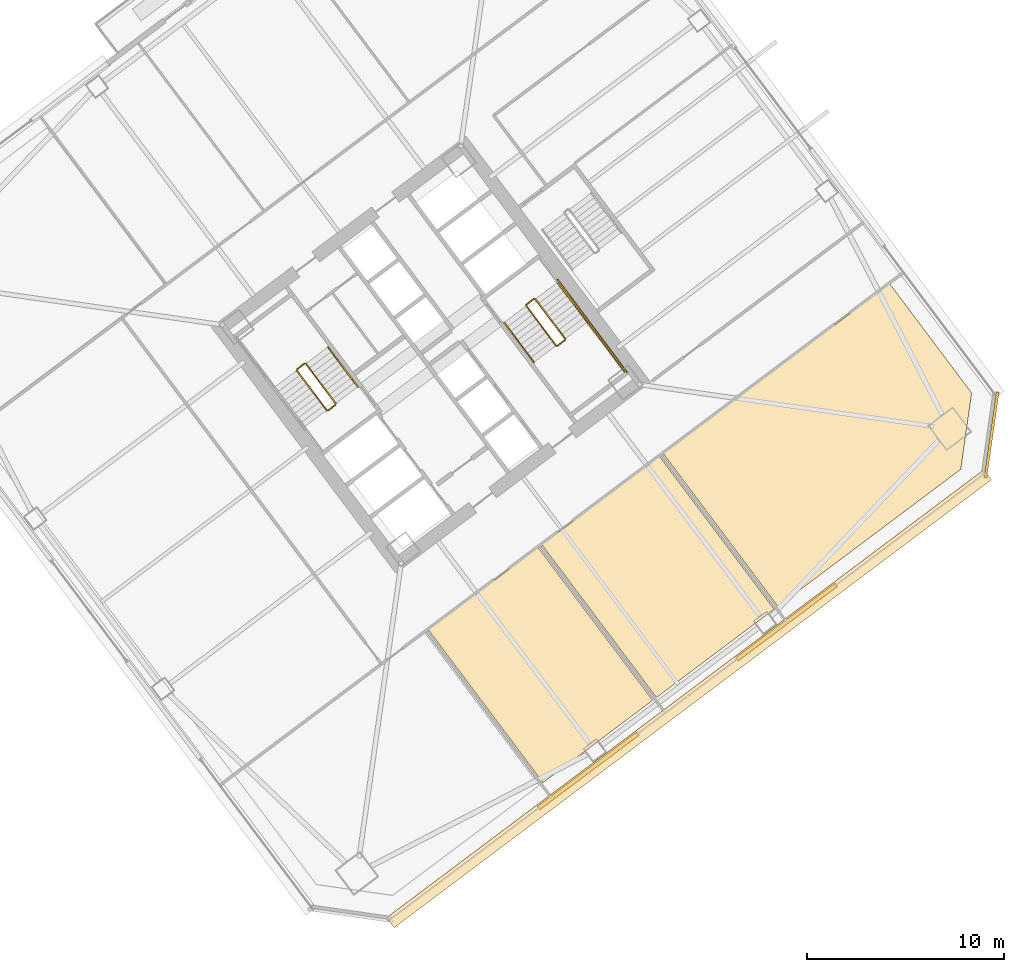
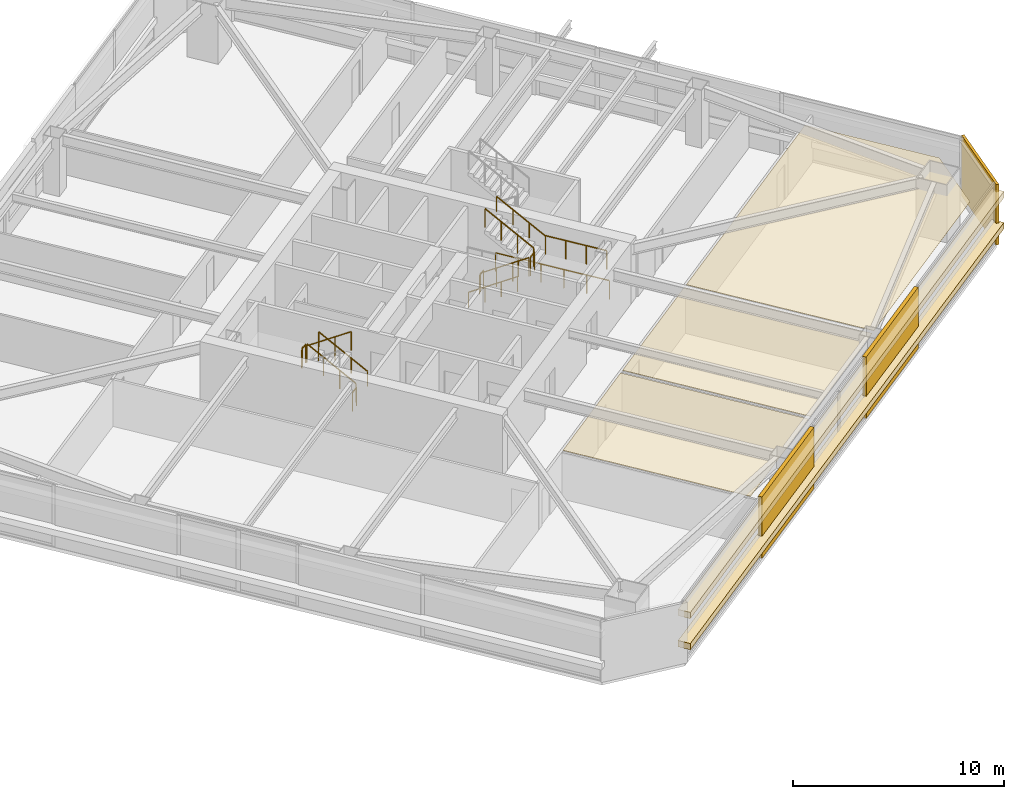
# One storey, part 44 of 46: 13 railings, 8 coverings.
"""IFC4 building model written with IfcOpenShell, lengths in metres."""

from ifc_helpers import new_model, si_unit, direction, frame, origin, origin_2d, place, context, subcontext, project, spatial, polyline, rectangle, outline, extrude, material, layer, layer_set, type_object, element, save


model = new_model("IFC4")

# Units and contexts
model_context = context("Model", 3, precision=1e-05, world=origin(), true_north=direction((0.0, 1.0)))
body_context = subcontext(model_context, "Body", "Model", "MODEL_VIEW")
ifc_project = project(units=[si_unit("LENGTHUNIT", "METRE"), si_unit("AREAUNIT", "SQUARE_METRE"), si_unit("VOLUMEUNIT", "CUBIC_METRE"), si_unit("PLANEANGLEUNIT", "RADIAN"), si_unit("MASSUNIT", "GRAM", prefix="KILO")], contexts=[model_context])

# Site, building, storey
site_placement = place(None, origin())
site = spatial("IfcSite", under=ifc_project, at=site_placement, CompositionType="ELEMENT")
building_placement = place(site_placement, origin())
building = spatial("IfcBuilding", under=site, at=building_placement, Name="Tashvorn Skyway Center", CompositionType="ELEMENT")
storey_placement = place(building_placement, frame((0.0, 0.0, 38.800048828125)))
storey = spatial("IfcBuildingStorey", under=building, at=storey_placement, Name="L09", CompositionType="ELEMENT", Elevation=38.800048828125)

# Coverings
ifc_material_1 = material(Name="Precast concrete C40/50", Category="concrete")
ifc_layer_1 = layer(ifc_material_1, 0.199951171875)
ifc_layer_set_1 = layer_set([ifc_layer_1], Name="Precast concrete C40/50")
covering_type_1 = type_object("IfcCoveringType", Name="COV-BRACE-CLAD", PredefinedType="CLADDING", material=ifc_layer_set_1)
for number, where, z_axis, x_axis, name in (
    (1, (132.042724609375, 18.431884765625, 0.0), (0.0, 0.0, 1.0), (-0.799999996291, -0.600000004945, 0.0), "Tower 2 L09 South Unitised Curtain Wall Mega-Brace Cladding Band 1"),
    (2, (121.973388671875, 10.8798828125, 0.0), (0.0, 0.0, 1.0), (-0.799999996291, -0.600000004945, 0.0), "Tower 2 L09 South Unitised Curtain Wall Mega-Brace Cladding Band 2"),
):
    element("IfcCovering", number, at=place(storey_placement, frame(where, z_axis=z_axis, x_axis=x_axis)), inside=storey, type_object=covering_type_1, Name=name, PredefinedType="CLADDING", context=body_context, shape_type="SweptSolid", body=[
        extrude(rectangle(XDim=6.29345703125, YDim=0.199951171875, at=origin_2d()), origin(), (0.0, 0.0, 1.0), 3.550048828125),
    ])
ifc_material_2 = material(Name="Mineral-fibre acoustic ceiling tile on suspended grid")
ifc_layer_2 = layer(ifc_material_2, 0.02001953125)
ifc_layer_set_2 = layer_set([ifc_layer_2], Name="Mineral-fibre acoustic ceiling tile on suspended grid")
covering_type_2 = type_object("IfcCoveringType", Name="COV-CEIL-20", PredefinedType="CEILING", material=ifc_layer_set_2)
covering_1_placement = place(storey_placement, frame((0.0, 0.0, 2.682861328125)))
element("IfcCovering", 3, at=covering_1_placement, inside=storey, type_object=covering_type_2, Name="Tower 2 L09 Staff Fitness Club Acoustic Ceiling", PredefinedType="CEILING", context=body_context, shape_type="SweptSolid", body=[
    extrude(outline(polyline([(113.8701171875, 18.0400390625), (119.43798828125, 22.216064453125), (125.251953125, 14.464111328125), (119.68408203125, 10.2880859375), (113.8701171875, 18.0400390625)])), origin(), (0.0, 0.0, 1.0), 0.02001953125),
])
covering_2_placement = place(storey_placement, frame((0.0, 0.0, 2.682861328125)))
element("IfcCovering", 4, at=covering_2_placement, inside=storey, type_object=covering_type_2, Name="Tower 2 L09 Staff Fitness Club Acoustic Ceiling", PredefinedType="CEILING", context=body_context, shape_type="SweptSolid", body=[
    extrude(outline(polyline([(119.6298828125, 22.360107421875), (125.597900390625, 26.8359375), (131.412109375, 19.083984375), (125.444091796875, 14.60791015625), (119.6298828125, 22.360107421875)])), origin(), (0.0, 0.0, 1.0), 0.02001953125),
])
covering_3_placement = place(storey_placement, frame((0.0, 0.0, 2.682861328125)))
element("IfcCovering", 5, at=covering_3_placement, inside=storey, type_object=covering_type_2, Name="Tower 2 L09 Catering Pantry Acoustic Ceiling", PredefinedType="CEILING", context=body_context, shape_type="SweptSolid", body=[
    extrude(outline(polyline([(131.60400390625, 19.22802734375), (125.7900390625, 26.97998046875), (137.278076171875, 35.595947265625), (141.43603515625, 30.052001953125), (140.884033203125, 26.18798828125), (131.60400390625, 19.22802734375)])), origin(), (0.0, 0.0, 1.0), 0.02001953125),
])
ifc_material_3 = material(Name="Perforated ceramic-coated bronze aluminium solar screen", Category="aluminium")
ifc_layer_3 = layer(ifc_material_3, 0.85009765625)
ifc_layer_set_3 = layer_set([ifc_layer_3], Name="Perforated ceramic-coated bronze aluminium solar screen")
covering_type_3 = type_object("IfcCoveringType", Name="COV-SOLAR-BAND", PredefinedType="CLADDING", material=ifc_layer_set_3)
for number, where, z_axis, x_axis, name in (
    (6, (127.092041015625, 14.5439453125, 0.919921875), (0.0, 0.0, 1.0), (-0.799999996291, -0.600000004945, 0.0), "L09 Perforated Ceramic-Metal Solar Screen Louvre Band South 1"),
    (7, (127.092041015625, 14.5439453125, 2.7197265625), (0.0, 0.0, 1.0), (-0.799999996291, -0.600000004945, 0.0), "L09 Perforated Ceramic-Metal Solar Screen Louvre Band South 2"),
):
    element("IfcCovering", number, at=place(storey_placement, frame(where, z_axis=z_axis, x_axis=x_axis)), inside=storey, type_object=covering_type_3, Name=name, PredefinedType="CLADDING", context=body_context, shape_type="SweptSolid", body=[
        extrude(rectangle(XDim=37.8798828125, YDim=0.639892578125, at=origin_2d()), origin(), (0.0, 0.0, 1.0), 0.360107421875),
    ])
ifc_layer_4 = layer(ifc_material_1, 0.35009765625)
ifc_layer_set_4 = layer_set([ifc_layer_4], Name="Precast concrete C40/50")
covering_type_4 = type_object("IfcCoveringType", Name="COV-STONE-TRIM", PredefinedType="CLADDING", material=ifc_layer_set_4)
covering_4_placement = place(storey_placement, frame((142.447998046875, 27.93603515625, 0.02001953125), z_axis=(0.0, 0.0, 1.0), x_axis=(0.141421350118, 0.989949494535, 0.0)))
element("IfcCovering", 8, at=covering_4_placement, inside=storey, type_object=covering_type_4, Name="Tower 2 L09 SE Mojave Limestone Corner Quoin", PredefinedType="CLADDING", context=body_context, shape_type="SweptSolid", body=[
    extrude(rectangle(XDim=4.402587890625, YDim=0.139892578125, at=origin_2d()), origin(), (0.0, 0.0, 1.0), 3.510009765625),
])

# Railings
ifc_material_4 = material(Name="Brushed stainless steel 316", Category="steel")
railing_type_1 = type_object("IfcRailingType", Name="RAIL-HAND-920", PredefinedType="HANDRAIL", material=ifc_material_4)
railing_1_placement = place(storey_placement, frame((110.2880859375, 30.365966796875, 0.177490234375)))
element("IfcRailing", 9, at=railing_1_placement, inside=storey, type_object=railing_type_1, Name="L09 ST-T2-1 stair handrail 1", PredefinedType="HANDRAIL", context=body_context, shape_type="SweptSolid", body=[
    extrude(rectangle(XDim=0.048095703125, YDim=0.048095703125, at=origin_2d()), frame((0.0, 0.0, 0.8759765625), z_axis=(-0.506801609611, 0.675680931896, 0.535357270211), x_axis=(-0.799976749893, -0.600030998891, 0.0)), (0.0, 0.0, 1.0), 2.98388671875),
    extrude(rectangle(XDim=0.0419921875, YDim=0.0419921875, at=origin_2d()), origin(), (0.0, 0.0, 1.0), 0.851806640625),
    extrude(rectangle(XDim=0.0419921875, YDim=0.0419921875, at=origin_2d()), frame((-0.504150390625, 0.672119140625, 0.532470703125)), (0.0, 0.0, 1.0), 0.851806640625),
    extrude(rectangle(XDim=0.0419921875, YDim=0.0419921875, at=origin_2d()), frame((-1.008056640625, 1.343994140625, 1.06494140625)), (0.0, 0.0, 1.0), 0.851806640625),
    extrude(rectangle(XDim=0.0419921875, YDim=0.0419921875, at=origin_2d()), frame((-1.51220703125, 2.01611328125, 1.597412109375)), (0.0, 0.0, 1.0), 0.851806640625),
])
railing_2_placement = place(storey_placement, frame((117.7119140625, 33.634033203125, 0.177490234375)))
element("IfcRailing", 10, at=railing_2_placement, inside=storey, type_object=railing_type_1, Name="L09 ST-T2-2 stair handrail 1", PredefinedType="HANDRAIL", context=body_context, shape_type="SweptSolid", body=[
    extrude(rectangle(XDim=0.048095703125, YDim=0.048095703125, at=origin_2d()), frame((0.0, 0.0, 0.8759765625), z_axis=(0.506801609611, -0.675680931896, 0.535357270211), x_axis=(0.799976749893, 0.600030998891, 0.0)), (0.0, 0.0, 1.0), 2.98388671875),
    extrude(rectangle(XDim=0.0419921875, YDim=0.0419921875, at=origin_2d()), origin(), (0.0, 0.0, 1.0), 0.851806640625),
    extrude(rectangle(XDim=0.0419921875, YDim=0.0419921875, at=origin_2d()), frame((0.504150390625, -0.672119140625, 0.532470703125)), (0.0, 0.0, 1.0), 0.851806640625),
    extrude(rectangle(XDim=0.0419921875, YDim=0.0419921875, at=origin_2d()), frame((1.008056640625, -1.343994140625, 1.06494140625)), (0.0, 0.0, 1.0), 0.851806640625),
    extrude(rectangle(XDim=0.0419921875, YDim=0.0419921875, at=origin_2d()), frame((1.51220703125, -2.01611328125, 1.597412109375)), (0.0, 0.0, 1.0), 0.851806640625),
])
railing_3_placement = place(storey_placement, frame((121.927978515625, 33.64599609375, 1.952392578125)))
element("IfcRailing", 11, at=railing_3_placement, inside=storey, type_object=railing_type_1, Name="L09 ST-T2-2 stair handrail 2", PredefinedType="HANDRAIL", context=body_context, shape_type="SweptSolid", body=[
    extrude(rectangle(XDim=0.048095703125, YDim=0.048095703125, at=origin_2d()), frame((0.0, 0.0, 0.8759765625), z_axis=(-0.506718600913, 0.675679348675, 0.535437836974), x_axis=(-0.800023250257, -0.599968998406, 0.0)), (0.0, 0.0, 1.0), 2.98388671875),
    extrude(rectangle(XDim=0.0419921875, YDim=0.0419921875, at=origin_2d()), origin(), (0.0, 0.0, 1.0), 0.851806640625),
    extrude(rectangle(XDim=0.0419921875, YDim=0.0419921875, at=origin_2d()), frame((-0.50390625, 0.672119140625, 0.532470703125)), (0.0, 0.0, 1.0), 0.851806640625),
    extrude(rectangle(XDim=0.0419921875, YDim=0.0419921875, at=origin_2d()), frame((-1.008056640625, 1.343994140625, 1.065185546875)), (0.0, 0.0, 1.0), 0.851806640625),
    extrude(rectangle(XDim=0.0419921875, YDim=0.0419921875, at=origin_2d()), frame((-1.511962890625, 2.01611328125, 1.59765625)), (0.0, 0.0, 1.0), 0.851806640625),
])
ifc_material_5 = material(Name="Painted galvanized steel S355", Category="steel")
railing_type_2 = type_object("IfcRailingType", Name="RAIL-STGUARD-1100", PredefinedType="GUARDRAIL", material=ifc_material_5)
railing_4_placement = place(storey_placement, frame((109.16796875, 29.52587890625, 0.177490234375)))
element("IfcRailing", 12, at=railing_4_placement, inside=storey, type_object=railing_type_2, Name="L09 ST-T2-1 stair guard 1", PredefinedType="GUARDRAIL", context=body_context, shape_type="SweptSolid", body=[
    extrude(rectangle(XDim=0.048095703125, YDim=0.048095703125, at=origin_2d()), frame((0.0, 0.0, 1.076171875), z_axis=(-0.506740800098, 0.675708949977, 0.535379469569), x_axis=(-0.800023250257, -0.599968998406, 0.0)), (0.0, 0.0, 1.0), 2.983642578125),
    extrude(rectangle(XDim=0.0419921875, YDim=0.0419921875, at=origin_2d()), origin(), (0.0, 0.0, 1.0), 1.052001953125),
    extrude(rectangle(XDim=0.0419921875, YDim=0.0419921875, at=origin_2d()), frame((-0.50390625, 0.672119140625, 0.532470703125)), (0.0, 0.0, 1.0), 1.052001953125),
    extrude(rectangle(XDim=0.0419921875, YDim=0.0419921875, at=origin_2d()), frame((-1.008056640625, 1.343994140625, 1.06494140625)), (0.0, 0.0, 1.0), 1.052001953125),
    extrude(rectangle(XDim=0.0419921875, YDim=0.0419921875, at=origin_2d()), frame((-1.511962890625, 2.01611328125, 1.597412109375)), (0.0, 0.0, 1.0), 1.052001953125),
])
railing_5_placement = place(storey_placement, frame((107.5859375, 31.552001953125, 1.77490234375)))
element("IfcRailing", 13, at=railing_5_placement, inside=storey, type_object=railing_type_2, Name="L09 ST-T2-1 stair guard 2", PredefinedType="GUARDRAIL", context=body_context, shape_type="SweptSolid", body=[
    extrude(rectangle(XDim=0.048095703125, YDim=0.048095703125, at=origin_2d()), frame((0.0, 0.0, 1.076171875), z_axis=(-0.799938970639, -0.600081363861, 0.0), x_axis=(0.600081363861, -0.799938970639, 0.0)), (0.0, 0.0, 1.0), 0.47998046875),
    extrude(rectangle(XDim=0.0419921875, YDim=0.0419921875, at=origin_2d()), origin(), (0.0, 0.0, 1.0), 1.052001953125),
    extrude(rectangle(XDim=0.0419921875, YDim=0.0419921875, at=origin_2d()), frame((-0.384033203125, -0.2880859375, 0.0)), (0.0, 0.0, 1.0), 1.052001953125),
])
railing_6_placement = place(storey_placement, frame((107.19189453125, 31.194091796875, 1.952392578125)))
element("IfcRailing", 14, at=railing_6_placement, inside=storey, type_object=railing_type_2, Name="L09 ST-T2-1 stair guard 4", PredefinedType="GUARDRAIL", context=body_context, shape_type="SweptSolid", body=[
    extrude(rectangle(XDim=0.048095703125, YDim=0.048095703125, at=origin_2d()), frame((0.0, 0.0, 1.076171875), z_axis=(0.506779409603, -0.675651334276, 0.53541563714), x_axis=(0.799976749893, 0.600030998891, 0.0)), (0.0, 0.0, 1.0), 2.98388671875),
    extrude(rectangle(XDim=0.0419921875, YDim=0.0419921875, at=origin_2d()), origin(), (0.0, 0.0, 1.0), 1.052001953125),
    extrude(rectangle(XDim=0.0419921875, YDim=0.0419921875, at=origin_2d()), frame((0.504150390625, -0.672119140625, 0.532470703125)), (0.0, 0.0, 1.0), 1.052001953125),
    extrude(rectangle(XDim=0.0419921875, YDim=0.0419921875, at=origin_2d()), frame((1.008056640625, -1.343994140625, 1.065185546875)), (0.0, 0.0, 1.0), 1.052001953125),
    extrude(rectangle(XDim=0.0419921875, YDim=0.0419921875, at=origin_2d()), frame((1.51220703125, -2.01611328125, 1.59765625)), (0.0, 0.0, 1.0), 1.052001953125),
])
railing_7_placement = place(storey_placement, frame((109.157958984375, 29.4560546875, 0.0)))
element("IfcRailing", 15, at=railing_7_placement, inside=storey, type_object=railing_type_2, Name="L09 ST-T2-1 stair guard 5", PredefinedType="GUARDRAIL", context=body_context, shape_type="SweptSolid", body=[
    extrude(rectangle(XDim=0.048095703125, YDim=0.048095703125, at=origin_2d()), frame((0.0, 0.0, 1.076171875), z_axis=(-0.799938970639, -0.600081363861, 0.0), x_axis=(0.600081363861, -0.799938970639, 0.0)), (0.0, 0.0, 1.0), 0.47998046875),
    extrude(rectangle(XDim=0.0419921875, YDim=0.0419921875, at=origin_2d()), origin(), (0.0, 0.0, 1.0), 1.052001953125),
    extrude(rectangle(XDim=0.0419921875, YDim=0.0419921875, at=origin_2d()), frame((-0.384033203125, -0.2880859375, 0.0)), (0.0, 0.0, 1.0), 1.052001953125),
])
railing_8_placement = place(storey_placement, frame((118.83203125, 34.47412109375, 0.177490234375)))
element("IfcRailing", 16, at=railing_8_placement, inside=storey, type_object=railing_type_2, Name="L09 ST-T2-2 stair guard 1", PredefinedType="GUARDRAIL", context=body_context, shape_type="SweptSolid", body=[
    extrude(rectangle(XDim=0.048095703125, YDim=0.048095703125, at=origin_2d()), frame((0.0, 0.0, 1.076171875), z_axis=(0.506740800098, -0.675708949977, 0.535379469569), x_axis=(0.800023250257, 0.599968998406, 0.0)), (0.0, 0.0, 1.0), 2.983642578125),
    extrude(rectangle(XDim=0.0419921875, YDim=0.0419921875, at=origin_2d()), origin(), (0.0, 0.0, 1.0), 1.052001953125),
    extrude(rectangle(XDim=0.0419921875, YDim=0.0419921875, at=origin_2d()), frame((0.50390625, -0.672119140625, 0.532470703125)), (0.0, 0.0, 1.0), 1.052001953125),
    extrude(rectangle(XDim=0.0419921875, YDim=0.0419921875, at=origin_2d()), frame((1.008056640625, -1.343994140625, 1.06494140625)), (0.0, 0.0, 1.0), 1.052001953125),
    extrude(rectangle(XDim=0.0419921875, YDim=0.0419921875, at=origin_2d()), frame((1.511962890625, -2.01611328125, 1.597412109375)), (0.0, 0.0, 1.0), 1.052001953125),
])
railing_9_placement = place(storey_placement, frame((120.4140625, 32.447998046875, 1.77490234375)))
element("IfcRailing", 17, at=railing_9_placement, inside=storey, type_object=railing_type_2, Name="L09 ST-T2-2 stair guard 2", PredefinedType="GUARDRAIL", context=body_context, shape_type="SweptSolid", body=[
    extrude(rectangle(XDim=0.048095703125, YDim=0.048095703125, at=origin_2d()), frame((0.0, 0.0, 1.076171875), z_axis=(0.799938970639, 0.600081363861, 0.0), x_axis=(-0.600081363861, 0.799938970639, 0.0)), (0.0, 0.0, 1.0), 0.47998046875),
    extrude(rectangle(XDim=0.0419921875, YDim=0.0419921875, at=origin_2d()), origin(), (0.0, 0.0, 1.0), 1.052001953125),
    extrude(rectangle(XDim=0.0419921875, YDim=0.0419921875, at=origin_2d()), frame((0.384033203125, 0.2880859375, 0.0)), (0.0, 0.0, 1.0), 1.052001953125),
])
railing_10_placement = place(storey_placement, frame((121.927978515625, 33.64599609375, 1.77490234375)))
element("IfcRailing", 18, at=railing_10_placement, inside=storey, type_object=railing_type_2, Name="L09 ST-T2-2 stair guard 3", PredefinedType="GUARDRAIL", context=body_context, shape_type="SweptSolid", body=[
    extrude(rectangle(XDim=0.048095703125, YDim=0.048095703125, at=origin_2d()), frame((0.0, 0.0, 1.076171875), z_axis=(0.599987638607, -0.800009270896, 0.0), x_axis=(0.800009270896, 0.599987638607, 0.0)), (0.0, 0.0, 1.0), 3.16015625),
    extrude(rectangle(XDim=0.0419921875, YDim=0.0419921875, at=origin_2d()), origin(), (0.0, 0.0, 1.0), 1.052001953125),
    extrude(rectangle(XDim=0.0419921875, YDim=0.0419921875, at=origin_2d()), frame((0.632080078125, -0.8427734375, 0.0)), (0.0, 0.0, 1.0), 1.052001953125),
    extrude(rectangle(XDim=0.0419921875, YDim=0.0419921875, at=origin_2d()), frame((1.263916015625, -1.685302734375, 0.0)), (0.0, 0.0, 1.0), 1.052001953125),
    extrude(rectangle(XDim=0.0419921875, YDim=0.0419921875, at=origin_2d()), frame((1.89599609375, -2.528076171875, 0.0)), (0.0, 0.0, 1.0), 1.052001953125),
])
railing_11_placement = place(storey_placement, frame((120.80810546875, 32.805908203125, 1.952392578125)))
element("IfcRailing", 19, at=railing_11_placement, inside=storey, type_object=railing_type_2, Name="L09 ST-T2-2 stair guard 4", PredefinedType="GUARDRAIL", context=body_context, shape_type="SweptSolid", body=[
    extrude(rectangle(XDim=0.048095703125, YDim=0.048095703125, at=origin_2d()), frame((0.0, 0.0, 1.076171875), z_axis=(-0.506779409603, 0.675651334276, 0.53541563714), x_axis=(-0.799976749893, -0.600030998891, 0.0)), (0.0, 0.0, 1.0), 2.98388671875),
    extrude(rectangle(XDim=0.0419921875, YDim=0.0419921875, at=origin_2d()), origin(), (0.0, 0.0, 1.0), 1.052001953125),
    extrude(rectangle(XDim=0.0419921875, YDim=0.0419921875, at=origin_2d()), frame((-0.504150390625, 0.672119140625, 0.532470703125)), (0.0, 0.0, 1.0), 1.052001953125),
    extrude(rectangle(XDim=0.0419921875, YDim=0.0419921875, at=origin_2d()), frame((-1.008056640625, 1.343994140625, 1.065185546875)), (0.0, 0.0, 1.0), 1.052001953125),
    extrude(rectangle(XDim=0.0419921875, YDim=0.0419921875, at=origin_2d()), frame((-1.51220703125, 2.01611328125, 1.59765625)), (0.0, 0.0, 1.0), 1.052001953125),
])
railing_12_placement = place(storey_placement, frame((118.842041015625, 34.5439453125, 0.0)))
element("IfcRailing", 20, at=railing_12_placement, inside=storey, type_object=railing_type_2, Name="L09 ST-T2-2 stair guard 5", PredefinedType="GUARDRAIL", context=body_context, shape_type="SweptSolid", body=[
    extrude(rectangle(XDim=0.048095703125, YDim=0.048095703125, at=origin_2d()), frame((0.0, 0.0, 1.076171875), z_axis=(0.799938970639, 0.600081363861, 0.0), x_axis=(-0.600081363861, 0.799938970639, 0.0)), (0.0, 0.0, 1.0), 0.47998046875),
    extrude(rectangle(XDim=0.0419921875, YDim=0.0419921875, at=origin_2d()), origin(), (0.0, 0.0, 1.0), 1.052001953125),
    extrude(rectangle(XDim=0.0419921875, YDim=0.0419921875, at=origin_2d()), frame((0.384033203125, 0.2880859375, 0.0)), (0.0, 0.0, 1.0), 1.052001953125),
])
railing_13_placement = place(storey_placement, frame((120.43603515625, 35.802001953125, 0.0)))
element("IfcRailing", 21, at=railing_13_placement, inside=storey, type_object=railing_type_2, Name="L09 ST-T2-2 stair guard 7", PredefinedType="GUARDRAIL", context=body_context, shape_type="SweptSolid", body=[
    extrude(rectangle(XDim=0.048095703125, YDim=0.048095703125, at=origin_2d()), frame((0.0, 0.0, 1.076171875), z_axis=(0.6, -0.8, 0.0), x_axis=(0.8, 0.6, 0.0)), (0.0, 0.0, 1.0), 5.880126953125),
    extrude(rectangle(XDim=0.0419921875, YDim=0.0419921875, at=origin_2d()), origin(), (0.0, 0.0, 1.0), 1.052001953125),
    extrude(rectangle(XDim=0.0419921875, YDim=0.0419921875, at=origin_2d()), frame((0.70556640625, -0.94091796875, 0.0)), (0.0, 0.0, 1.0), 1.052001953125),
    extrude(rectangle(XDim=0.0419921875, YDim=0.0419921875, at=origin_2d()), frame((1.4111328125, -1.881591796875, 0.0)), (0.0, 0.0, 1.0), 1.052001953125),
    extrude(rectangle(XDim=0.0419921875, YDim=0.0419921875, at=origin_2d()), frame((2.116943359375, -2.822509765625, 0.0)), (0.0, 0.0, 1.0), 1.052001953125),
    extrude(rectangle(XDim=0.0419921875, YDim=0.0419921875, at=origin_2d()), frame((2.822509765625, -3.76318359375, 0.0)), (0.0, 0.0, 1.0), 1.052001953125),
    extrude(rectangle(XDim=0.0419921875, YDim=0.0419921875, at=origin_2d()), frame((3.528076171875, -4.7041015625, 0.0)), (0.0, 0.0, 1.0), 1.052001953125),
])

save(model, "model.ifc")
